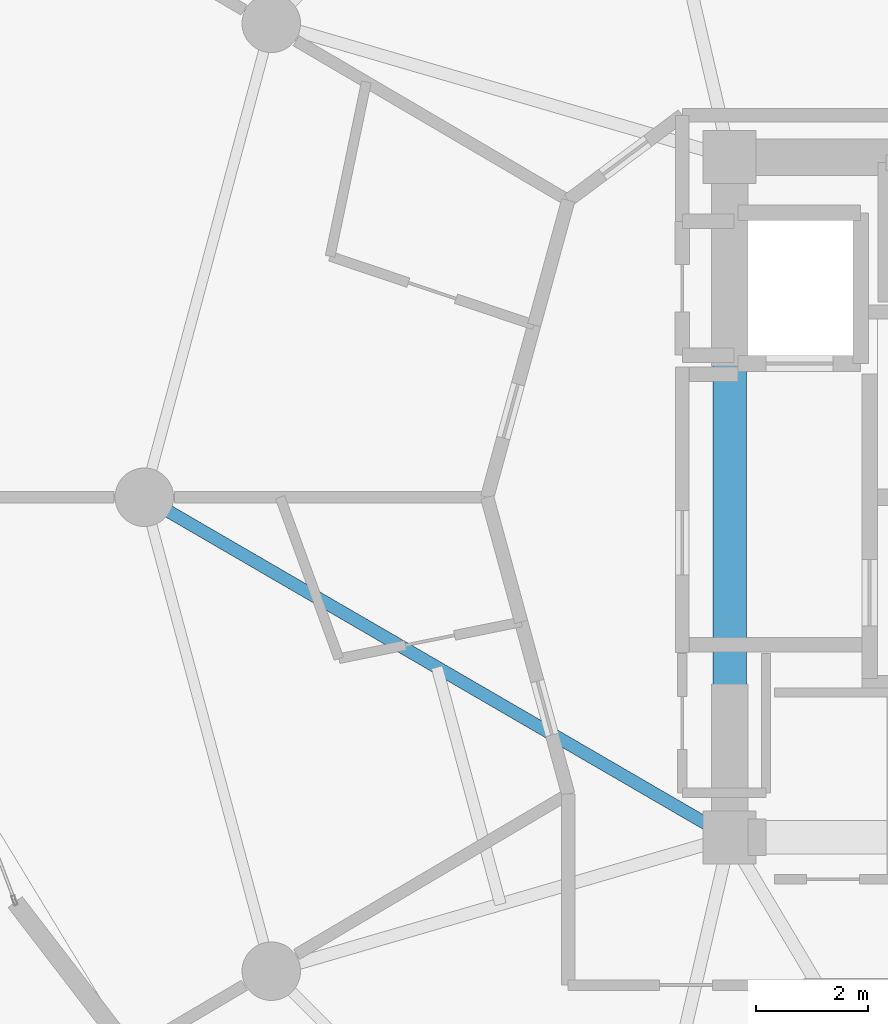
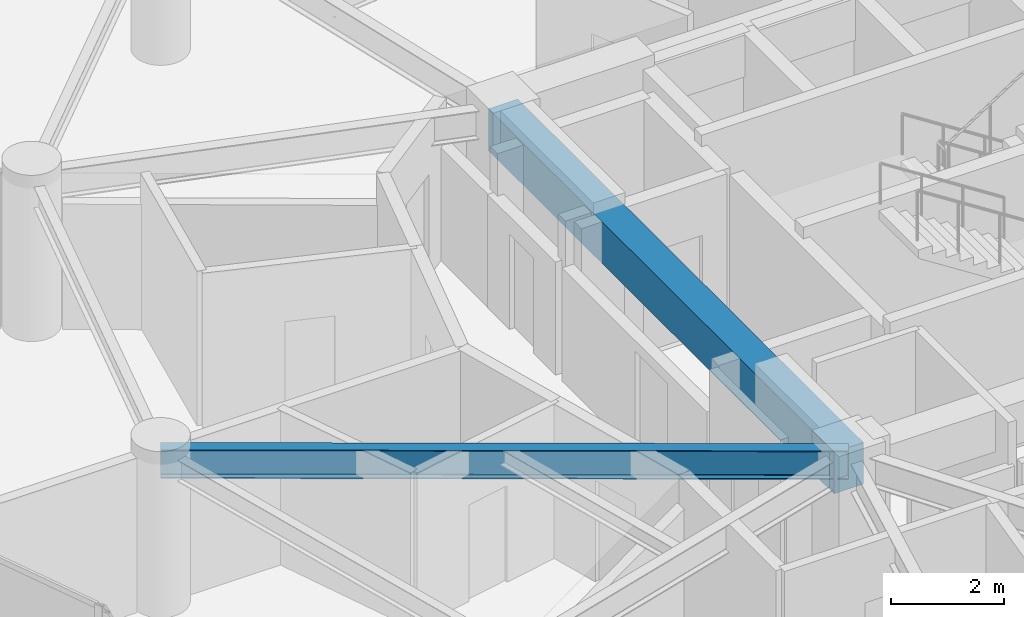
# One storey, part 7 of 25: 2 beams.
"""IFC4 building model written with IfcOpenShell, lengths in metres."""

from ifc_helpers import new_model, si_unit, direction, frame, origin, origin_2d, place, context, subcontext, project, spatial, rectangle, i_section, extrude, material, material_profile, profile_set, type_object, element, save


model = new_model("IFC4")

# Units and contexts
model_context = context("Model", 3, precision=1e-05, world=origin(), true_north=direction((0.0, 1.0)))
body_context = subcontext(model_context, "Body", "Model", "MODEL_VIEW")
ifc_project = project(units=[si_unit("LENGTHUNIT", "METRE"), si_unit("AREAUNIT", "SQUARE_METRE"), si_unit("VOLUMEUNIT", "CUBIC_METRE"), si_unit("PLANEANGLEUNIT", "RADIAN"), si_unit("MASSUNIT", "GRAM", prefix="KILO")], contexts=[model_context])

# Site, building, storey
site_placement = place(None, origin())
site = spatial("IfcSite", under=ifc_project, at=site_placement, CompositionType="ELEMENT")
building_placement = place(site_placement, origin())
building = spatial("IfcBuilding", under=site, at=building_placement, Name="Solvirekh Grand Hotel", CompositionType="ELEMENT")
storey_placement = place(building_placement, frame((0.0, 0.0, 106.199951171875)))
storey = spatial("IfcBuildingStorey", under=building, at=storey_placement, Name="L26", CompositionType="ELEMENT", Elevation=106.199951171875)

# Beams
ifc_material_1 = material(Name="Concrete C50/60", Category="concrete")
ifc_material_profile_1 = material_profile(ifc_material_1, rectangle(XDim=0.60009765625, YDim=0.89990234375, at=origin_2d()), Name="RC BEAM 600X900")
ifc_profile_set_1 = profile_set([ifc_material_profile_1], Name="Concrete C50/60")
beam_type_1 = type_object("IfcBeamType", Name="Beam_Core_RC900", PredefinedType="BEAM", material=ifc_profile_set_1)
beam_1_placement = place(storey_placement, frame((-6.5, 6.10009765625, 2.900146484375), z_axis=(0.0, -1.0, 0.0), x_axis=(1.0, 0.0, 0.0)))
element("IfcBeam", 1, at=beam_1_placement, inside=storey, type_object=beam_type_1, Name="L26 core coupling ring beam 4", PredefinedType="BEAM", context=body_context, shape_type="SweptSolid", body=[
    extrude(rectangle(XDim=0.60009765625, YDim=0.89990234375, at=origin_2d()), origin(), (0.0, 0.0, 1.0), 12.2001953125),
])
ifc_material_2 = material(Name="Steel S355", Category="steel")
ifc_material_profile_2 = material_profile(ifc_material_2, i_section(OverallWidth=0.22802734375, OverallDepth=0.616943359375, WebThickness=0.012939453125, FlangeThickness=0.02001953125, FilletRadius=0.014892578125, at=origin_2d()), Name="W610X140")
ifc_profile_set_2 = profile_set([ifc_material_profile_2], Name="Steel S355")
beam_type_2 = type_object("IfcBeamType", Name="Beam_Radial_W610", PredefinedType="BEAM", material=ifc_profile_set_2)
beam_2_placement = place(storey_placement, frame((-6.5, -6.10009765625, 3.0419921875), z_axis=(-0.864670076815, 0.50234018181, 0.0), x_axis=(-0.50234018181, -0.864670076815, 0.0)))
element("IfcBeam", 2, at=beam_2_placement, inside=storey, type_object=beam_type_2, Name="L26 radial floor beam R07", PredefinedType="BEAM", context=body_context, shape_type="SweptSolid", body=[
    extrude(i_section(OverallWidth=0.22802734375, OverallDepth=0.616943359375, WebThickness=0.012939453125, FlangeThickness=0.02001953125, FilletRadius=0.014892578125, at=origin_2d()), origin(), (0.0, 0.0, 1.0), 12.143310546875),
])

save(model, "model.ifc")
